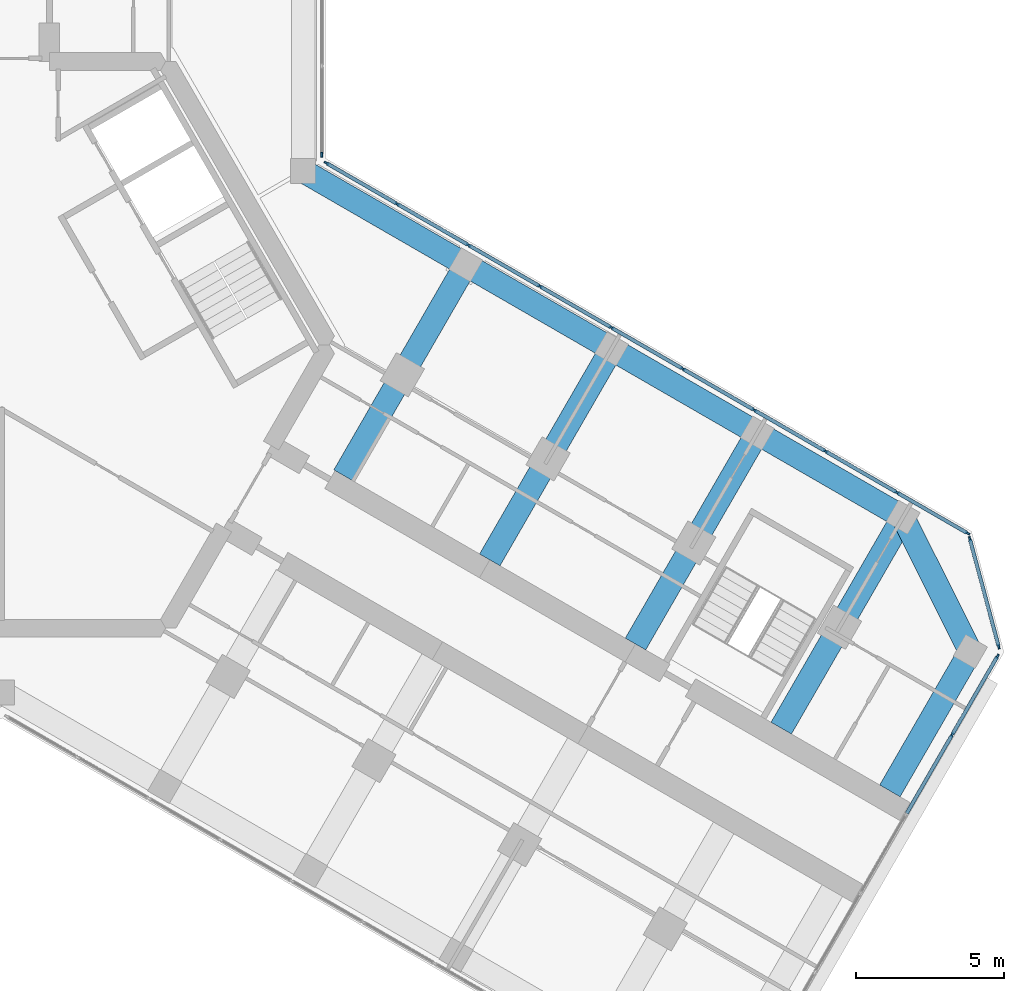
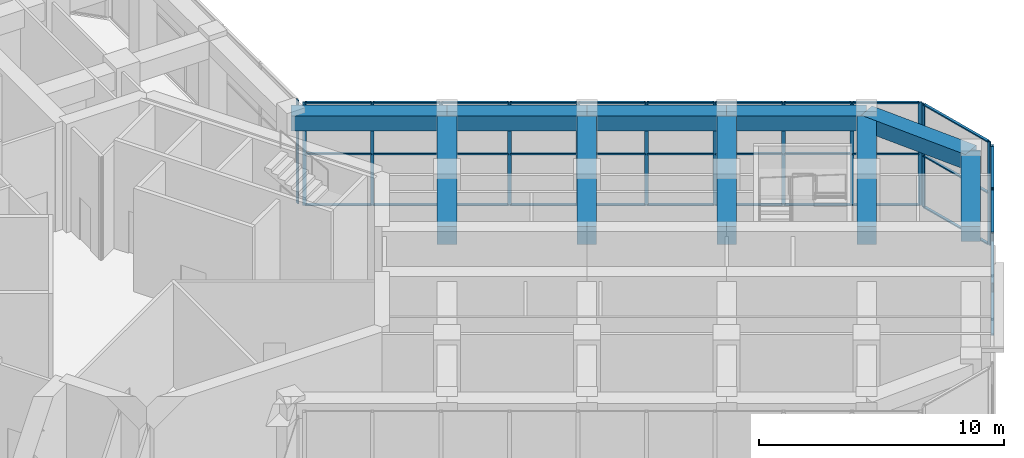
# One storey, part 6 of 16: 51 members, 10 beams, 4 elements without a shape of their own.
"""IFC4 building model written with IfcOpenShell, lengths in metres."""

import ifcopenshell
import ifcopenshell.guid

model = None  # the IFC model being written
_history = None  # IfcOwnerHistory: only IFC2X3 demands one
_inside = {}  # id of a spatial element -> (the spatial element, [elements in it])
_under = {}  # id of a project, library or spatial element -> (it, [spatial elements below it])
_declared = {}  # id of a project -> (the project, [libraries it declares])
_typed = {}  # id of a type object -> (the type object, [elements of that type])
_made_of = {}  # id of a material, layer set ... -> (it, [elements and type objects made of it])


def new_model(schema):
    """Start an empty IFC model of exactly this schema.

    Asked for "IFC4X3", IfcOpenShell would pick the latest addendum, in which some entities
    have other attributes; the version numbers below select the first issue.
    IFC2X3 requires an IfcOwnerHistory on every rooted entity: one is made here for all.
    """
    global model, _history
    if schema == "IFC4X3":
        model = ifcopenshell.file(schema_version=(4, 3, 0, 0))
    else:
        model = ifcopenshell.file(schema=schema)
    _inside.clear()
    _under.clear()
    _declared.clear()
    _typed.clear()
    _made_of.clear()
    _history = None
    if model.schema == "IFC2X3":
        org = make("IfcOrganization", Name="unknown")
        user = make(
            "IfcPersonAndOrganization",
            ThePerson=make("IfcPerson", FamilyName="unknown"),
            TheOrganization=org,
        )
        app = make(
            "IfcApplication",
            ApplicationDeveloper=org,
            Version="unknown",
            ApplicationFullName="unknown",
            ApplicationIdentifier="unknown",
        )
        _history = make(
            "IfcOwnerHistory",
            OwningUser=user,
            OwningApplication=app,
            ChangeAction="ADDED",
            CreationDate=0,
        )
    return model


def make(cls, **values):
    """One entity of the class cls with the attributes given. An attribute that is None is left unset."""
    return model.create_entity(
        cls, **{name: value for name, value in values.items() if value is not None}
    )


def rooted(cls, **values):
    """An entity with a GlobalId (a new one), such as an element, a storey or a relation."""
    return make(cls, GlobalId=ifcopenshell.guid.new(), OwnerHistory=_history, **values)


def si_unit(unit_type, name, prefix=None):
    """IfcSIUnit, for example si_unit("LENGTHUNIT", "METRE", prefix="MILLI")."""
    return make("IfcSIUnit", UnitType=unit_type, Prefix=prefix, Name=name)


def assignment(units):
    """IfcUnitAssignment: the units of a project."""
    return None if units is None else make("IfcUnitAssignment", Units=units)


def point(xyz):
    """IfcCartesianPoint."""
    return None if xyz is None else make("IfcCartesianPoint", Coordinates=xyz)


def direction(xyz):
    """IfcDirection."""
    return None if xyz is None else make("IfcDirection", DirectionRatios=xyz)


def frame(location, z_axis=None, x_axis=None):
    """IfcAxis2Placement3D, a coordinate frame: its origin and axes. An axis left out is left unset."""
    return make(
        "IfcAxis2Placement3D",
        Location=point(location),
        Axis=direction(z_axis),
        RefDirection=direction(x_axis),
    )


def frame_2d(location, x_axis=None):
    """IfcAxis2Placement2D, a coordinate frame in the plane: its origin and x axis."""
    return make(
        "IfcAxis2Placement2D", Location=point(location), RefDirection=direction(x_axis)
    )


def origin():
    """The frame at (0, 0, 0) with its axes left unset."""
    return frame((0.0, 0.0, 0.0))


def origin_2d():
    """The frame at (0, 0) in the plane with its x axis left unset."""
    return frame_2d((0.0, 0.0))


def place(relative_to, where):
    """IfcLocalPlacement: puts the frame where relative to a parent placement (None: the world)."""
    return make(
        "IfcLocalPlacement", PlacementRelTo=relative_to, RelativePlacement=where
    )


def context(
    kind, dimensions, precision=None, world=None, true_north=None, identifier=None
):
    """IfcGeometricRepresentationContext, for example the 3D "Model" context."""
    return make(
        "IfcGeometricRepresentationContext",
        ContextIdentifier=identifier,
        ContextType=kind,
        CoordinateSpaceDimension=dimensions,
        Precision=precision,
        WorldCoordinateSystem=world,
        TrueNorth=true_north,
    )


def subcontext(parent, identifier, kind, view, scale=None):
    """IfcGeometricRepresentationSubContext, for example "Body" below "Model"."""
    return make(
        "IfcGeometricRepresentationSubContext",
        ContextIdentifier=identifier,
        ContextType=kind,
        ParentContext=parent,
        TargetScale=scale,
        TargetView=view,
    )


def project(units=None, contexts=None):
    """IfcProject with its units and contexts."""
    return rooted(
        "IfcProject",
        Name="project",
        RepresentationContexts=contexts,
        UnitsInContext=assignment(units),
    )


def spatial(cls, under=None, at=None, **own):
    """A site, building, storey or space (cls), placed at a placement, below another one or the project."""
    s = rooted(cls, ObjectPlacement=at, **own)
    if under is not None:
        _under.setdefault(under.id(), (under, []))[1].append(s)
    return s


def profile(cls, at=None, kind="AREA", **sizes):
    """A parametric profile (cls). Its sizes go by their IFC names, for example OverallWidth=200.0."""
    return make(cls, ProfileType=kind, Position=at, **sizes)


def rectangle(**sizes):
    """IfcRectangleProfileDef."""
    return profile("IfcRectangleProfileDef", **sizes)


def extrude(swept, where, along, depth):
    """IfcExtrudedAreaSolid: the profile swept, set in the frame where, extruded along a direction by depth."""
    return make(
        "IfcExtrudedAreaSolid",
        SweptArea=swept,
        Position=where,
        ExtrudedDirection=direction(along),
        Depth=depth,
    )


def shape(context_of_items, identifier, shape_type, items):
    """IfcShapeRepresentation: the items that make up one representation, for example the "Body"."""
    return make(
        "IfcShapeRepresentation",
        ContextOfItems=context_of_items,
        RepresentationIdentifier=identifier,
        RepresentationType=shape_type,
        Items=items,
    )


def material(Name=None, Category=None):
    """IfcMaterial."""
    return make("IfcMaterial", Name=Name, Category=Category)


def material_profile(
    of_material, cross_section, Name=None, Category=None, Priority=None
):
    """IfcMaterialProfile: a cross section and its material."""
    return make(
        "IfcMaterialProfile",
        Name=Name,
        Material=of_material,
        Profile=cross_section,
        Priority=Priority,
        Category=Category,
    )


def profile_set(profiles, Name=None, composite=None):
    """IfcMaterialProfileSet."""
    return make(
        "IfcMaterialProfileSet",
        Name=Name,
        MaterialProfiles=profiles,
        CompositeProfile=composite,
    )


def made_of(thing, what):
    """Note that an element or type object is made of a material, layer set ...; save() writes the relation."""
    if what is not None:
        _made_of.setdefault(what.id(), (what, []))[1].append(thing)
    return thing


def type_object(cls, material=None, **own):
    """A type object (cls), such as IfcWallType, which elements share."""
    return made_of(rooted(cls, **own), material)


def element(
    cls,
    number,
    at=None,
    inside=None,
    cuts=None,
    type_object=None,
    material=None,
    context=None,
    identifier="Body",
    shape_type=None,
    held_by="IfcProductDefinitionShape",
    body=None,
    shapes=None,
    **own,
):
    """One element of the class cls, such as IfcWall. Its Tag is "e" and its number.

    at: its placement. inside: the storey or other place that contains it. cuts: it is an
    opening in that element (IfcRelVoidsElement). A single representation is given by context,
    identifier, shape_type and body (its items); several are given by shapes. held_by: the class
    of the entity that holds the representations. save() writes the other relations.
    """
    e = rooted(cls, Tag="e%d" % number, ObjectPlacement=at, **own)
    if body is not None:
        shapes = [shape(context, identifier, shape_type, body)]
    if shapes is not None:
        e.Representation = make(held_by, Representations=shapes)
    if inside is not None:
        _inside.setdefault(inside.id(), (inside, []))[1].append(e)
    if cuts is not None:
        rooted(
            "IfcRelVoidsElement", RelatingBuildingElement=cuts, RelatedOpeningElement=e
        )
    if type_object is not None:
        _typed.setdefault(type_object.id(), (type_object, []))[1].append(e)
    return made_of(e, material)


def aggregate(whole, parts):
    """IfcRelAggregates: a whole, such as a stair, and the parts it consists of."""
    return rooted("IfcRelAggregates", RelatingObject=whole, RelatedObjects=parts)


def save(model, path):
    """Write the relations noted so far, then the file.

    IfcRelAggregates (storeys below a building ...), IfcRelContainedInSpatialStructure (elements
    in a storey), IfcRelDefinesByType, IfcRelAssociatesMaterial and IfcRelDeclares: one each for
    every whole, place, type object, material and project.
    """
    for whole, parts in _under.values():
        aggregate(whole, parts)
    for where, things in _inside.values():
        rooted(
            "IfcRelContainedInSpatialStructure",
            RelatedElements=things,
            RelatingStructure=where,
        )
    for kind, things in _typed.values():
        rooted("IfcRelDefinesByType", RelatedObjects=things, RelatingType=kind)
    for what, things in _made_of.values():
        rooted("IfcRelAssociatesMaterial", RelatedObjects=things, RelatingMaterial=what)
    for by, libraries in _declared.values():
        rooted("IfcRelDeclares", RelatingContext=by, RelatedDefinitions=libraries)
    model.write(path)


model = new_model("IFC4")

# Units and contexts
model_context = context("Model", 3, precision=1e-05, world=origin(), true_north=direction((0.0, 1.0)))
body_context = subcontext(model_context, "Body", "Model", "MODEL_VIEW")
ifc_project = project(units=[si_unit("LENGTHUNIT", "METRE"), si_unit("AREAUNIT", "SQUARE_METRE"), si_unit("VOLUMEUNIT", "CUBIC_METRE"), si_unit("PLANEANGLEUNIT", "RADIAN"), si_unit("MASSUNIT", "GRAM", prefix="KILO")], contexts=[model_context])

# Site, building, storey
site_placement = place(None, origin())
site = spatial("IfcSite", under=ifc_project, at=site_placement, CompositionType="ELEMENT")
building_placement = place(site_placement, origin())
building = spatial("IfcBuilding", under=site, at=building_placement, Name="Kosmar Iwan School Tower", CompositionType="ELEMENT")
storey_placement = place(building_placement, frame((0.0, 0.0, 226.199951171875)))
storey = spatial("IfcBuildingStorey", under=building, at=storey_placement, Name="L57", CompositionType="ELEMENT", Elevation=226.199951171875)

# Curtain wall, members
ifc_material_1 = material(Name="Dark glass in black aluminium frame", Category="aluminium")
curtain_wall_type_1 = type_object("IfcCurtainWallType", Name="Tower curtain wall dark glass", PredefinedType="USERDEFINED", material=ifc_material_1)
curtain_wall_1_placement = place(storey_placement, origin())
curtain_wall_1 = element("IfcCurtainWall", 1, at=curtain_wall_1_placement, inside=storey, type_object=curtain_wall_type_1, Name="Curtain wall L57-F01", ObjectType="UNITISED CURTAIN WALL", PredefinedType="USERDEFINED")
ifc_material_2 = material(Name="Black anodised aluminium", Category="aluminium")
ifc_material_profile_1 = material_profile(ifc_material_2, rectangle(XDim=0.06005859375, YDim=0.159912109375, at=origin_2d()), Name="MULLION 60x160")
ifc_profile_set_1 = profile_set([ifc_material_profile_1], Name="Black anodised aluminium")
member_type_1 = type_object("IfcMemberType", Name="Mullion 60x160", PredefinedType="MULLION", material=ifc_profile_set_1)
member_1_placement = place(storey_placement, frame((32.1806640625, -13.21142578125, 0.0), z_axis=(0.0, 0.0, 1.0), x_axis=(-0.866025405329, 0.499999997325, 0.0)))
member_1 = element("IfcMember", 2, at=member_1_placement, type_object=member_type_1, Name="CW1 mullion 5", PredefinedType="MULLION", context=body_context, shape_type="SweptSolid", body=[
    extrude(rectangle(XDim=0.06005859375, YDim=0.159912109375, at=origin_2d()), origin(), (0.0, 0.0, 1.0), 5.150146484375),
])
member_2_placement = place(storey_placement, frame((33.71533203125, -10.55322265625, 0.0), z_axis=(0.0, 0.0, 1.0), x_axis=(-0.866025405329, 0.499999997325, 0.0)))
member_2 = element("IfcMember", 3, at=member_2_placement, type_object=member_type_1, Name="CW1 mullion 6", PredefinedType="MULLION", context=body_context, shape_type="SweptSolid", body=[
    extrude(rectangle(XDim=0.06005859375, YDim=0.159912109375, at=origin_2d()), origin(), (0.0, 0.0, 1.0), 5.150146484375),
])

ifc_material_3 = material(Name="Dark glass in black aluminium frame", Category="aluminium")
curtain_wall_type_2 = type_object("IfcCurtainWallType", Name="Chamfer curtain wall dark glass", PredefinedType="USERDEFINED", material=ifc_material_3)
curtain_wall_2_placement = place(storey_placement, origin())
curtain_wall_2 = element("IfcCurtainWall", 4, at=curtain_wall_2_placement, inside=storey, type_object=curtain_wall_type_2, Name="Curtain wall L57-F02", ObjectType="FACETED CURTAIN WALL", PredefinedType="USERDEFINED")
member_3_placement = place(storey_placement, frame((33.7587890625, -10.2236328125, 0.0), z_axis=(0.0, 0.0, 1.0), x_axis=(-0.965925875495, -0.258818861462, 0.0)))
member_3 = element("IfcMember", 5, at=member_3_placement, type_object=member_type_1, Name="CW2 mullion 1", PredefinedType="MULLION", context=body_context, shape_type="SweptSolid", body=[
    extrude(rectangle(XDim=0.06005859375, YDim=0.159912109375, at=origin_2d()), origin(), (0.0, 0.0, 1.0), 5.150146484375),
])
member_4_placement = place(storey_placement, frame((32.78076171875, -6.5732421875, 0.0), z_axis=(0.0, 0.0, 1.0), x_axis=(-0.965925875495, -0.258818861462, 0.0)))
member_4 = element("IfcMember", 6, at=member_4_placement, type_object=member_type_1, Name="CW2 mullion 2", PredefinedType="MULLION", context=body_context, shape_type="SweptSolid", body=[
    extrude(rectangle(XDim=0.06005859375, YDim=0.159912109375, at=origin_2d()), origin(), (0.0, 0.0, 1.0), 5.150146484375),
])

ifc_material_4 = material(Name="Dark glass in black aluminium frame", Category="aluminium")
curtain_wall_type_3 = type_object("IfcCurtainWallType", Name="Winter garden curtain wall", PredefinedType="USERDEFINED", material=ifc_material_4)
curtain_wall_3_placement = place(storey_placement, origin())
curtain_wall_3 = element("IfcCurtainWall", 7, at=curtain_wall_3_placement, inside=storey, type_object=curtain_wall_type_3, Name="Curtain wall L57-F03", ObjectType="WINTER GARDEN CURTAIN WALL", PredefinedType="USERDEFINED")
member_5_placement = place(storey_placement, frame((10.98876953125, 6.1552734375, 0.0), z_axis=(0.0, 0.0, 1.0), x_axis=(0.500000014888, 0.866025395189, 0.0)))
member_5 = element("IfcMember", 8, at=member_5_placement, type_object=member_type_1, Name="CW7 mullion 1", PredefinedType="MULLION", context=body_context, shape_type="SweptSolid", body=[
    extrude(rectangle(XDim=0.06005859375, YDim=0.159912109375, at=origin_2d()), origin(), (0.0, 0.0, 1.0), 5.150146484375),
])
member_6_placement = place(storey_placement, frame((13.3818359375, 4.773681640625, 0.0), z_axis=(0.0, 0.0, 1.0), x_axis=(0.500000014888, 0.866025395189, 0.0)))
member_6 = element("IfcMember", 9, at=member_6_placement, type_object=member_type_1, Name="CW7 mullion 2", PredefinedType="MULLION", context=body_context, shape_type="SweptSolid", body=[
    extrude(rectangle(XDim=0.06005859375, YDim=0.159912109375, at=origin_2d()), origin(), (0.0, 0.0, 1.0), 5.150146484375),
])
member_7_placement = place(storey_placement, frame((15.80078125, 3.376953125, 0.0), z_axis=(0.0, 0.0, 1.0), x_axis=(0.500000014888, 0.866025395189, 0.0)))
member_7 = element("IfcMember", 10, at=member_7_placement, type_object=member_type_1, Name="CW7 mullion 3", PredefinedType="MULLION", context=body_context, shape_type="SweptSolid", body=[
    extrude(rectangle(XDim=0.06005859375, YDim=0.159912109375, at=origin_2d()), origin(), (0.0, 0.0, 1.0), 5.150146484375),
])
member_8_placement = place(storey_placement, frame((18.219970703125, 1.98046875, 0.0), z_axis=(0.0, 0.0, 1.0), x_axis=(0.500000014888, 0.866025395189, 0.0)))
member_8 = element("IfcMember", 11, at=member_8_placement, type_object=member_type_1, Name="CW7 mullion 4", PredefinedType="MULLION", context=body_context, shape_type="SweptSolid", body=[
    extrude(rectangle(XDim=0.06005859375, YDim=0.159912109375, at=origin_2d()), origin(), (0.0, 0.0, 1.0), 5.150146484375),
])
member_9_placement = place(storey_placement, frame((20.638916015625, 0.583740234375, 0.0), z_axis=(0.0, 0.0, 1.0), x_axis=(0.500000014888, 0.866025395189, 0.0)))
member_9 = element("IfcMember", 12, at=member_9_placement, type_object=member_type_1, Name="CW7 mullion 5", PredefinedType="MULLION", context=body_context, shape_type="SweptSolid", body=[
    extrude(rectangle(XDim=0.06005859375, YDim=0.159912109375, at=origin_2d()), origin(), (0.0, 0.0, 1.0), 5.150146484375),
])
member_10_placement = place(storey_placement, frame((23.057861328125, -0.81298828125, 0.0), z_axis=(0.0, 0.0, 1.0), x_axis=(0.500000014888, 0.866025395189, 0.0)))
member_10 = element("IfcMember", 13, at=member_10_placement, type_object=member_type_1, Name="CW7 mullion 6", PredefinedType="MULLION", context=body_context, shape_type="SweptSolid", body=[
    extrude(rectangle(XDim=0.06005859375, YDim=0.159912109375, at=origin_2d()), origin(), (0.0, 0.0, 1.0), 5.150146484375),
])
member_11_placement = place(storey_placement, frame((25.47705078125, -2.20947265625, 0.0), z_axis=(0.0, 0.0, 1.0), x_axis=(0.500000014888, 0.866025395189, 0.0)))
member_11 = element("IfcMember", 14, at=member_11_placement, type_object=member_type_1, Name="CW7 mullion 7", PredefinedType="MULLION", context=body_context, shape_type="SweptSolid", body=[
    extrude(rectangle(XDim=0.06005859375, YDim=0.159912109375, at=origin_2d()), origin(), (0.0, 0.0, 1.0), 5.150146484375),
])
member_12_placement = place(storey_placement, frame((27.89599609375, -3.606201171875, 0.0), z_axis=(0.0, 0.0, 1.0), x_axis=(0.500000014888, 0.866025395189, 0.0)))
member_12 = element("IfcMember", 15, at=member_12_placement, type_object=member_type_1, Name="CW7 mullion 8", PredefinedType="MULLION", context=body_context, shape_type="SweptSolid", body=[
    extrude(rectangle(XDim=0.06005859375, YDim=0.159912109375, at=origin_2d()), origin(), (0.0, 0.0, 1.0), 5.150146484375),
])
member_13_placement = place(storey_placement, frame((30.31494140625, -5.002685546875, 0.0), z_axis=(0.0, 0.0, 1.0), x_axis=(0.500000014888, 0.866025395189, 0.0)))
member_13 = element("IfcMember", 16, at=member_13_placement, type_object=member_type_1, Name="CW7 mullion 9", PredefinedType="MULLION", context=body_context, shape_type="SweptSolid", body=[
    extrude(rectangle(XDim=0.06005859375, YDim=0.159912109375, at=origin_2d()), origin(), (0.0, 0.0, 1.0), 5.150146484375),
])
member_14_placement = place(storey_placement, frame((32.7080078125, -6.38427734375, 0.0), z_axis=(0.0, 0.0, 1.0), x_axis=(0.500000014888, 0.866025395189, 0.0)))
member_14 = element("IfcMember", 17, at=member_14_placement, type_object=member_type_1, Name="CW7 mullion 10", PredefinedType="MULLION", context=body_context, shape_type="SweptSolid", body=[
    extrude(rectangle(XDim=0.06005859375, YDim=0.159912109375, at=origin_2d()), origin(), (0.0, 0.0, 1.0), 5.150146484375),
])

# Curtain wall, member
curtain_wall_4_placement = place(storey_placement, origin())
curtain_wall_4 = element("IfcCurtainWall", 18, at=curtain_wall_4_placement, inside=storey, type_object=curtain_wall_type_3, Name="Curtain wall L57-F04", ObjectType="WINTER GARDEN CURTAIN WALL", PredefinedType="USERDEFINED")
member_15_placement = place(storey_placement, frame((10.824951171875, 6.43896484375, 0.0), z_axis=(0.0, 0.0, 1.0), x_axis=(-1.0, 0.0, 0.0)))
member_15 = element("IfcMember", 19, at=member_15_placement, type_object=member_type_1, Name="CW7 mullion 1", PredefinedType="MULLION", context=body_context, shape_type="SweptSolid", body=[
    extrude(rectangle(XDim=0.06005859375, YDim=0.159912109375, at=origin_2d()), origin(), (0.0, 0.0, 1.0), 5.150146484375),
])
aggregate(curtain_wall_4, [member_15])

# Beams
ifc_material_5 = material(Name="Concrete C50/60", Category="concrete")
ifc_material_profile_2 = material_profile(ifc_material_5, rectangle(XDim=0.800048828125, YDim=0.75, at=origin_2d()), Name="RC 800x750")
ifc_profile_set_2 = profile_set([ifc_material_profile_2], Name="Concrete C50/60")
beam_type_1 = type_object("IfcBeamType", Name="RC edge beam 800x750", PredefinedType="BEAM", material=ifc_profile_set_2)
beam_1_placement = place(storey_placement, frame((10.199951171875, 5.888916015625, 4.775146484375), z_axis=(0.866030912664, -0.49999045822, 0.0), x_axis=(0.49999045822, 0.866030912664, 0.0)))
element("IfcBeam", 20, at=beam_1_placement, inside=storey, type_object=beam_type_1, Name="Edge beam CL1", PredefinedType="BEAM", context=body_context, shape_type="SweptSolid", body=[
    extrude(rectangle(XDim=0.800048828125, YDim=0.75, at=origin_2d()), origin(), (0.0, 0.0, 1.0), 6.36083984375),
])
beam_2_placement = place(storey_placement, frame((15.708740234375, 2.70849609375, 4.775146484375), z_axis=(0.866025820012, -0.499999279071, 0.0), x_axis=(0.499999279071, 0.866025820012, 0.0)))
element("IfcBeam", 21, at=beam_2_placement, inside=storey, type_object=beam_type_1, Name="Edge beam CL2", PredefinedType="BEAM", context=body_context, shape_type="SweptSolid", body=[
    extrude(rectangle(XDim=0.800048828125, YDim=0.75, at=origin_2d()), origin(), (0.0, 0.0, 1.0), 5.7001953125),
])
for number, where, z_axis, x_axis, name in (
    (22, (20.645263671875, -0.1416015625, 4.775146484375), (0.866033658841, -0.49998570155, 0.0), (0.49998570155, 0.866033658841, 0.0), "Edge beam CL3"),
    (23, (25.58154296875, -2.991455078125, 4.775146484375), (0.866015111908, -0.50001782563, 0.0), (0.50001782563, 0.866015111908, 0.0), "Edge beam CL4"),
):
    element("IfcBeam", number, at=place(storey_placement, frame(where, z_axis=z_axis, x_axis=x_axis)), inside=storey, type_object=beam_type_1, Name=name, PredefinedType="BEAM", context=body_context, shape_type="SweptSolid", body=[
        extrude(rectangle(XDim=0.800048828125, YDim=0.75, at=origin_2d()), origin(), (0.0, 0.0, 1.0), 5.699951171875),
    ])
ifc_material_6 = material(Name="Concrete C50/60", Category="concrete")
ifc_material_profile_3 = material_profile(ifc_material_6, rectangle(XDim=0.800048828125, YDim=0.75, at=origin_2d()), Name="RC 800x750")
ifc_profile_set_3 = profile_set([ifc_material_profile_3], Name="Concrete C50/60")
beam_type_2 = type_object("IfcBeamType", Name="RC tip beam 800x750", PredefinedType="BEAM", material=ifc_profile_set_3)
beam_3_placement = place(storey_placement, frame((30.517822265625, -5.841552734375, 4.775146484375), z_axis=(0.44809604203, -0.893985423325, 0.0), x_axis=(0.893985423325, 0.44809604203, 0.0)))
element("IfcBeam", 24, at=beam_3_placement, inside=storey, type_object=beam_type_2, Name="Tip beam CL", PredefinedType="BEAM", context=body_context, shape_type="SweptSolid", body=[
    extrude(rectangle(XDim=0.800048828125, YDim=0.75, at=origin_2d()), origin(), (0.0, 0.0, 1.0), 5.08935546875),
])
beam_4_placement = place(storey_placement, frame((32.79833984375, -10.391357421875, 4.775146484375), z_axis=(-0.49996933381, -0.866043108194, 0.0), x_axis=(0.866043108194, -0.49996933381, 0.0)))
element("IfcBeam", 25, at=beam_4_placement, inside=storey, type_object=beam_type_2, Name="Tip beam CL to corridor wall", PredefinedType="BEAM", context=body_context, shape_type="SweptSolid", body=[
    extrude(rectangle(XDim=0.800048828125, YDim=0.75, at=origin_2d()), origin(), (0.0, 0.0, 1.0), 5.449951171875),
])
ifc_material_7 = material(Name="Concrete C50/60", Category="concrete")
ifc_material_profile_4 = material_profile(ifc_material_7, rectangle(XDim=0.800048828125, YDim=0.89990234375, at=origin_2d()), Name="RC 800x900")
ifc_profile_set_4 = profile_set([ifc_material_profile_4], Name="Concrete C50/60")
beam_type_3 = type_object("IfcBeamType", Name="RC transverse beam 800x900", PredefinedType="BEAM", material=ifc_profile_set_4)
beam_5_placement = place(storey_placement, frame((15.708740234375, 2.70849609375, 4.699951171875), z_axis=(-0.499996545922, -0.866027397988, 0.0), x_axis=(0.866027397988, -0.499996545922, 0.0)))
element("IfcBeam", 26, at=beam_5_placement, inside=storey, type_object=beam_type_3, Name="Transverse beam CL1", PredefinedType="BEAM", context=body_context, shape_type="SweptSolid", body=[
    extrude(rectangle(XDim=0.800048828125, YDim=0.89990234375, at=origin_2d()), origin(), (0.0, 0.0, 1.0), 8.25),
])
beam_6_placement = place(storey_placement, frame((20.645263671875, -0.1416015625, 4.699951171875), z_axis=(-0.500009360108, -0.866019999656, 0.0), x_axis=(0.866019999656, -0.500009360108, 0.0)))
element("IfcBeam", 27, at=beam_6_placement, inside=storey, type_object=beam_type_3, Name="Transverse beam CL2", PredefinedType="BEAM", context=body_context, shape_type="SweptSolid", body=[
    extrude(rectangle(XDim=0.800048828125, YDim=0.89990234375, at=origin_2d()), origin(), (0.0, 0.0, 1.0), 8.249755859375),
])
for number, where, z_axis, x_axis, name in (
    (28, (25.58154296875, -2.991455078125, 4.699951171875), (-0.499996545922, -0.866027397988, 0.0), (0.866027397988, -0.499996545922, 0.0), "Transverse beam CL3"),
    (29, (30.517822265625, -5.841552734375, 4.699951171875), (-0.499996545922, -0.866027397988, 0.0), (0.866027397988, -0.499996545922, 0.0), "Transverse beam CL4"),
):
    element("IfcBeam", number, at=place(storey_placement, frame(where, z_axis=z_axis, x_axis=x_axis)), inside=storey, type_object=beam_type_3, Name=name, PredefinedType="BEAM", context=body_context, shape_type="SweptSolid", body=[
        extrude(rectangle(XDim=0.800048828125, YDim=0.89990234375, at=origin_2d()), origin(), (0.0, 0.0, 1.0), 8.25),
    ])

# Member
ifc_material_8 = material(Name="Black anodised aluminium", Category="aluminium")
ifc_material_profile_5 = material_profile(ifc_material_8, rectangle(XDim=0.1201171875, YDim=0.06005859375, at=origin_2d()), Name="TRANSOM 60x120")
ifc_profile_set_5 = profile_set([ifc_material_profile_5], Name="Black anodised aluminium")
member_type_2 = type_object("IfcMemberType", Name="Transom 60x120", PredefinedType="USERDEFINED", material=ifc_profile_set_5)
member_16_placement = place(storey_placement, frame((30.64599609375, -15.869384765625, 0.030029296875), z_axis=(0.500035348339, 0.866004994449, 0.0), x_axis=(-0.866004994449, 0.500035348339, 0.0)))
member_16 = element("IfcMember", 30, at=member_16_placement, type_object=member_type_2, Name="CW1 transom 4.1", ObjectType="TRANSOM", PredefinedType="USERDEFINED", context=body_context, shape_type="SweptSolid", body=[
    extrude(rectangle(XDim=0.1201171875, YDim=0.06005859375, at=origin_2d()), origin(), (0.0, 0.0, 1.0), 3.039306640625),
])

member_17_placement = place(storey_placement, frame((30.64599609375, -15.869384765625, 2.574951171875), z_axis=(0.500035348339, 0.866004994449, 0.0), x_axis=(-0.866004994449, 0.500035348339, 0.0)))
member_17 = element("IfcMember", 31, at=member_17_placement, type_object=member_type_2, Name="CW1 transom 4.2", ObjectType="TRANSOM", PredefinedType="USERDEFINED", context=body_context, shape_type="SweptSolid", body=[
    extrude(rectangle(XDim=0.1201171875, YDim=0.06005859375, at=origin_2d()), origin(), (0.0, 0.0, 1.0), 3.039306640625),
])

member_18_placement = place(storey_placement, frame((30.64599609375, -15.869384765625, 5.1201171875), z_axis=(0.500035348339, 0.866004994449, 0.0), x_axis=(-0.866004994449, 0.500035348339, 0.0)))
member_18 = element("IfcMember", 32, at=member_18_placement, type_object=member_type_2, Name="CW1 transom 4.3", ObjectType="TRANSOM", PredefinedType="USERDEFINED", context=body_context, shape_type="SweptSolid", body=[
    extrude(rectangle(XDim=0.1201171875, YDim=0.06005859375, at=origin_2d()), origin(), (0.0, 0.0, 1.0), 3.039306640625),
])

member_19_placement = place(storey_placement, frame((32.19580078125, -13.185302734375, 0.030029296875), z_axis=(0.500022102064, 0.866012642776, 0.0), x_axis=(-0.866012642776, 0.500022102064, 0.0)))
member_19 = element("IfcMember", 33, at=member_19_placement, type_object=member_type_2, Name="CW1 transom 5.1", ObjectType="TRANSOM", PredefinedType="USERDEFINED", context=body_context, shape_type="SweptSolid", body=[
    extrude(rectangle(XDim=0.1201171875, YDim=0.06005859375, at=origin_2d()), origin(), (0.0, 0.0, 1.0), 3.009033203125),
])

member_20_placement = place(storey_placement, frame((32.19580078125, -13.185302734375, 2.574951171875), z_axis=(0.500022102064, 0.866012642776, 0.0), x_axis=(-0.866012642776, 0.500022102064, 0.0)))
member_20 = element("IfcMember", 34, at=member_20_placement, type_object=member_type_2, Name="CW1 transom 5.2", ObjectType="TRANSOM", PredefinedType="USERDEFINED", context=body_context, shape_type="SweptSolid", body=[
    extrude(rectangle(XDim=0.1201171875, YDim=0.06005859375, at=origin_2d()), origin(), (0.0, 0.0, 1.0), 3.009033203125),
])

member_21_placement = place(storey_placement, frame((32.19580078125, -13.185302734375, 5.1201171875), z_axis=(0.500022102064, 0.866012642776, 0.0), x_axis=(-0.866012642776, 0.500022102064, 0.0)))
member_21 = element("IfcMember", 35, at=member_21_placement, type_object=member_type_2, Name="CW1 transom 5.3", ObjectType="TRANSOM", PredefinedType="USERDEFINED", context=body_context, shape_type="SweptSolid", body=[
    extrude(rectangle(XDim=0.1201171875, YDim=0.06005859375, at=origin_2d()), origin(), (0.0, 0.0, 1.0), 3.009033203125),
])

aggregate(curtain_wall_1, [member_1, member_2, member_16, member_17, member_18, member_19, member_20, member_21])

member_22_placement = place(storey_placement, frame((33.7509765625, -10.194580078125, 0.030029296875), z_axis=(-0.258843273983, 0.965919333854, 0.0), x_axis=(-0.965919333854, -0.258843273983, 0.0)))
member_22 = element("IfcMember", 36, at=member_22_placement, type_object=member_type_2, Name="CW2 transom 1.1", ObjectType="TRANSOM", PredefinedType="USERDEFINED", context=body_context, shape_type="SweptSolid", body=[
    extrude(rectangle(XDim=0.1201171875, YDim=0.06005859375, at=origin_2d()), origin(), (0.0, 0.0, 1.0), 3.718994140625),
])

member_23_placement = place(storey_placement, frame((33.7509765625, -10.194580078125, 2.574951171875), z_axis=(-0.258843273983, 0.965919333854, 0.0), x_axis=(-0.965919333854, -0.258843273983, 0.0)))
member_23 = element("IfcMember", 37, at=member_23_placement, type_object=member_type_2, Name="CW2 transom 1.2", ObjectType="TRANSOM", PredefinedType="USERDEFINED", context=body_context, shape_type="SweptSolid", body=[
    extrude(rectangle(XDim=0.1201171875, YDim=0.06005859375, at=origin_2d()), origin(), (0.0, 0.0, 1.0), 3.718994140625),
])

member_24_placement = place(storey_placement, frame((33.7509765625, -10.194580078125, 5.1201171875), z_axis=(-0.258843273983, 0.965919333854, 0.0), x_axis=(-0.965919333854, -0.258843273983, 0.0)))
member_24 = element("IfcMember", 38, at=member_24_placement, type_object=member_type_2, Name="CW2 transom 1.3", ObjectType="TRANSOM", PredefinedType="USERDEFINED", context=body_context, shape_type="SweptSolid", body=[
    extrude(rectangle(XDim=0.1201171875, YDim=0.06005859375, at=origin_2d()), origin(), (0.0, 0.0, 1.0), 3.718994140625),
])

aggregate(curtain_wall_2, [member_3, member_4, member_22, member_23, member_24])

member_25_placement = place(storey_placement, frame((11.014892578125, 6.14013671875, 0.030029296875), z_axis=(0.866033683985, -0.499985657998, 0.0), x_axis=(0.499985657998, 0.866033683985, 0.0)))
member_25 = element("IfcMember", 39, at=member_25_placement, type_object=member_type_2, Name="CW7 transom 1.1", ObjectType="TRANSOM", PredefinedType="USERDEFINED", context=body_context, shape_type="SweptSolid", body=[
    extrude(rectangle(XDim=0.1201171875, YDim=0.06005859375, at=origin_2d()), origin(), (0.0, 0.0, 1.0), 2.703125),
])

member_26_placement = place(storey_placement, frame((11.014892578125, 6.14013671875, 2.574951171875), z_axis=(0.866033683985, -0.499985657998, 0.0), x_axis=(0.499985657998, 0.866033683985, 0.0)))
member_26 = element("IfcMember", 40, at=member_26_placement, type_object=member_type_2, Name="CW7 transom 1.2", ObjectType="TRANSOM", PredefinedType="USERDEFINED", context=body_context, shape_type="SweptSolid", body=[
    extrude(rectangle(XDim=0.1201171875, YDim=0.06005859375, at=origin_2d()), origin(), (0.0, 0.0, 1.0), 2.703125),
])

member_27_placement = place(storey_placement, frame((11.014892578125, 6.14013671875, 5.1201171875), z_axis=(0.866033683985, -0.499985657998, 0.0), x_axis=(0.499985657998, 0.866033683985, 0.0)))
member_27 = element("IfcMember", 41, at=member_27_placement, type_object=member_type_2, Name="CW7 transom 1.3", ObjectType="TRANSOM", PredefinedType="USERDEFINED", context=body_context, shape_type="SweptSolid", body=[
    extrude(rectangle(XDim=0.1201171875, YDim=0.06005859375, at=origin_2d()), origin(), (0.0, 0.0, 1.0), 2.703125),
])

member_28_placement = place(storey_placement, frame((13.407958984375, 4.758544921875, 0.030029296875), z_axis=(0.866041295585, -0.499972473583, 0.0), x_axis=(0.499972473583, 0.866041295585, 0.0)))
member_28 = element("IfcMember", 42, at=member_28_placement, type_object=member_type_2, Name="CW7 transom 2.1", ObjectType="TRANSOM", PredefinedType="USERDEFINED", context=body_context, shape_type="SweptSolid", body=[
    extrude(rectangle(XDim=0.1201171875, YDim=0.06005859375, at=origin_2d()), origin(), (0.0, 0.0, 1.0), 2.733154296875),
])

member_29_placement = place(storey_placement, frame((13.407958984375, 4.758544921875, 2.574951171875), z_axis=(0.866041295585, -0.499972473583, 0.0), x_axis=(0.499972473583, 0.866041295585, 0.0)))
member_29 = element("IfcMember", 43, at=member_29_placement, type_object=member_type_2, Name="CW7 transom 2.2", ObjectType="TRANSOM", PredefinedType="USERDEFINED", context=body_context, shape_type="SweptSolid", body=[
    extrude(rectangle(XDim=0.1201171875, YDim=0.06005859375, at=origin_2d()), origin(), (0.0, 0.0, 1.0), 2.733154296875),
])

member_30_placement = place(storey_placement, frame((13.407958984375, 4.758544921875, 5.1201171875), z_axis=(0.866041295585, -0.499972473583, 0.0), x_axis=(0.499972473583, 0.866041295585, 0.0)))
member_30 = element("IfcMember", 44, at=member_30_placement, type_object=member_type_2, Name="CW7 transom 2.3", ObjectType="TRANSOM", PredefinedType="USERDEFINED", context=body_context, shape_type="SweptSolid", body=[
    extrude(rectangle(XDim=0.1201171875, YDim=0.06005859375, at=origin_2d()), origin(), (0.0, 0.0, 1.0), 2.733154296875),
])

member_31_placement = place(storey_placement, frame((15.826904296875, 3.362060546875, 0.030029296875), z_axis=(0.866002615699, -0.500039468044, 0.0), x_axis=(0.500039468044, 0.866002615699, 0.0)))
member_31 = element("IfcMember", 45, at=member_31_placement, type_object=member_type_2, Name="CW7 transom 3.1", ObjectType="TRANSOM", PredefinedType="USERDEFINED", context=body_context, shape_type="SweptSolid", body=[
    extrude(rectangle(XDim=0.1201171875, YDim=0.06005859375, at=origin_2d()), origin(), (0.0, 0.0, 1.0), 2.733154296875),
])

member_32_placement = place(storey_placement, frame((15.826904296875, 3.362060546875, 2.574951171875), z_axis=(0.866002615699, -0.500039468044, 0.0), x_axis=(0.500039468044, 0.866002615699, 0.0)))
member_32 = element("IfcMember", 46, at=member_32_placement, type_object=member_type_2, Name="CW7 transom 3.2", ObjectType="TRANSOM", PredefinedType="USERDEFINED", context=body_context, shape_type="SweptSolid", body=[
    extrude(rectangle(XDim=0.1201171875, YDim=0.06005859375, at=origin_2d()), origin(), (0.0, 0.0, 1.0), 2.733154296875),
])

member_33_placement = place(storey_placement, frame((15.826904296875, 3.362060546875, 5.1201171875), z_axis=(0.866002615699, -0.500039468044, 0.0), x_axis=(0.500039468044, 0.866002615699, 0.0)))
member_33 = element("IfcMember", 47, at=member_33_placement, type_object=member_type_2, Name="CW7 transom 3.3", ObjectType="TRANSOM", PredefinedType="USERDEFINED", context=body_context, shape_type="SweptSolid", body=[
    extrude(rectangle(XDim=0.1201171875, YDim=0.06005859375, at=origin_2d()), origin(), (0.0, 0.0, 1.0), 2.733154296875),
])

member_34_placement = place(storey_placement, frame((18.245849609375, 1.96533203125, 0.030029296875), z_axis=(0.8660249478, -0.500000789788, 0.0), x_axis=(0.500000789788, 0.8660249478, 0.0)))
member_34 = element("IfcMember", 48, at=member_34_placement, type_object=member_type_2, Name="CW7 transom 4.1", ObjectType="TRANSOM", PredefinedType="USERDEFINED", context=body_context, shape_type="SweptSolid", body=[
    extrude(rectangle(XDim=0.1201171875, YDim=0.06005859375, at=origin_2d()), origin(), (0.0, 0.0, 1.0), 2.7333984375),
])

member_35_placement = place(storey_placement, frame((18.245849609375, 1.96533203125, 2.574951171875), z_axis=(0.8660249478, -0.500000789788, 0.0), x_axis=(0.500000789788, 0.8660249478, 0.0)))
member_35 = element("IfcMember", 49, at=member_35_placement, type_object=member_type_2, Name="CW7 transom 4.2", ObjectType="TRANSOM", PredefinedType="USERDEFINED", context=body_context, shape_type="SweptSolid", body=[
    extrude(rectangle(XDim=0.1201171875, YDim=0.06005859375, at=origin_2d()), origin(), (0.0, 0.0, 1.0), 2.7333984375),
])

member_36_placement = place(storey_placement, frame((18.245849609375, 1.96533203125, 5.1201171875), z_axis=(0.8660249478, -0.500000789788, 0.0), x_axis=(0.500000789788, 0.8660249478, 0.0)))
member_36 = element("IfcMember", 50, at=member_36_placement, type_object=member_type_2, Name="CW7 transom 4.3", ObjectType="TRANSOM", PredefinedType="USERDEFINED", context=body_context, shape_type="SweptSolid", body=[
    extrude(rectangle(XDim=0.1201171875, YDim=0.06005859375, at=origin_2d()), origin(), (0.0, 0.0, 1.0), 2.7333984375),
])

member_37_placement = place(storey_placement, frame((20.664794921875, 0.56884765625, 0.030029296875), z_axis=(0.8660249478, -0.500000789788, 0.0), x_axis=(0.500000789788, 0.8660249478, 0.0)))
member_37 = element("IfcMember", 51, at=member_37_placement, type_object=member_type_2, Name="CW7 transom 5.1", ObjectType="TRANSOM", PredefinedType="USERDEFINED", context=body_context, shape_type="SweptSolid", body=[
    extrude(rectangle(XDim=0.1201171875, YDim=0.06005859375, at=origin_2d()), origin(), (0.0, 0.0, 1.0), 2.7333984375),
])

member_38_placement = place(storey_placement, frame((20.664794921875, 0.56884765625, 2.574951171875), z_axis=(0.8660249478, -0.500000789788, 0.0), x_axis=(0.500000789788, 0.8660249478, 0.0)))
member_38 = element("IfcMember", 52, at=member_38_placement, type_object=member_type_2, Name="CW7 transom 5.2", ObjectType="TRANSOM", PredefinedType="USERDEFINED", context=body_context, shape_type="SweptSolid", body=[
    extrude(rectangle(XDim=0.1201171875, YDim=0.06005859375, at=origin_2d()), origin(), (0.0, 0.0, 1.0), 2.7333984375),
])

member_39_placement = place(storey_placement, frame((20.664794921875, 0.56884765625, 5.1201171875), z_axis=(0.8660249478, -0.500000789788, 0.0), x_axis=(0.500000789788, 0.8660249478, 0.0)))
member_39 = element("IfcMember", 53, at=member_39_placement, type_object=member_type_2, Name="CW7 transom 5.3", ObjectType="TRANSOM", PredefinedType="USERDEFINED", context=body_context, shape_type="SweptSolid", body=[
    extrude(rectangle(XDim=0.1201171875, YDim=0.06005859375, at=origin_2d()), origin(), (0.0, 0.0, 1.0), 2.7333984375),
])

member_40_placement = place(storey_placement, frame((23.083984375, -0.827880859375, 0.030029296875), z_axis=(0.866002615699, -0.500039468044, 0.0), x_axis=(0.500039468044, 0.866002615699, 0.0)))
member_40 = element("IfcMember", 54, at=member_40_placement, type_object=member_type_2, Name="CW7 transom 6.1", ObjectType="TRANSOM", PredefinedType="USERDEFINED", context=body_context, shape_type="SweptSolid", body=[
    extrude(rectangle(XDim=0.1201171875, YDim=0.06005859375, at=origin_2d()), origin(), (0.0, 0.0, 1.0), 2.733154296875),
])

member_41_placement = place(storey_placement, frame((23.083984375, -0.827880859375, 2.574951171875), z_axis=(0.866002615699, -0.500039468044, 0.0), x_axis=(0.500039468044, 0.866002615699, 0.0)))
member_41 = element("IfcMember", 55, at=member_41_placement, type_object=member_type_2, Name="CW7 transom 6.2", ObjectType="TRANSOM", PredefinedType="USERDEFINED", context=body_context, shape_type="SweptSolid", body=[
    extrude(rectangle(XDim=0.1201171875, YDim=0.06005859375, at=origin_2d()), origin(), (0.0, 0.0, 1.0), 2.733154296875),
])

member_42_placement = place(storey_placement, frame((23.083984375, -0.827880859375, 5.1201171875), z_axis=(0.866002615699, -0.500039468044, 0.0), x_axis=(0.500039468044, 0.866002615699, 0.0)))
member_42 = element("IfcMember", 56, at=member_42_placement, type_object=member_type_2, Name="CW7 transom 6.3", ObjectType="TRANSOM", PredefinedType="USERDEFINED", context=body_context, shape_type="SweptSolid", body=[
    extrude(rectangle(XDim=0.1201171875, YDim=0.06005859375, at=origin_2d()), origin(), (0.0, 0.0, 1.0), 2.733154296875),
])

member_43_placement = place(storey_placement, frame((25.5029296875, -2.224609375, 0.030029296875), z_axis=(0.866063622699, -0.499933797055, 0.0), x_axis=(0.499933797055, 0.866063622699, 0.0)))
member_43 = element("IfcMember", 57, at=member_43_placement, type_object=member_type_2, Name="CW7 transom 7.1", ObjectType="TRANSOM", PredefinedType="USERDEFINED", context=body_context, shape_type="SweptSolid", body=[
    extrude(rectangle(XDim=0.1201171875, YDim=0.06005859375, at=origin_2d()), origin(), (0.0, 0.0, 1.0), 2.733154296875),
])

member_44_placement = place(storey_placement, frame((25.5029296875, -2.224609375, 2.574951171875), z_axis=(0.866063622699, -0.499933797055, 0.0), x_axis=(0.499933797055, 0.866063622699, 0.0)))
member_44 = element("IfcMember", 58, at=member_44_placement, type_object=member_type_2, Name="CW7 transom 7.2", ObjectType="TRANSOM", PredefinedType="USERDEFINED", context=body_context, shape_type="SweptSolid", body=[
    extrude(rectangle(XDim=0.1201171875, YDim=0.06005859375, at=origin_2d()), origin(), (0.0, 0.0, 1.0), 2.733154296875),
])

member_45_placement = place(storey_placement, frame((25.5029296875, -2.224609375, 5.1201171875), z_axis=(0.866063622699, -0.499933797055, 0.0), x_axis=(0.499933797055, 0.866063622699, 0.0)))
member_45 = element("IfcMember", 59, at=member_45_placement, type_object=member_type_2, Name="CW7 transom 7.3", ObjectType="TRANSOM", PredefinedType="USERDEFINED", context=body_context, shape_type="SweptSolid", body=[
    extrude(rectangle(XDim=0.1201171875, YDim=0.06005859375, at=origin_2d()), origin(), (0.0, 0.0, 1.0), 2.733154296875),
])

member_46_placement = place(storey_placement, frame((27.921875, -3.62109375, 0.030029296875), z_axis=(0.8660249478, -0.500000789788, 0.0), x_axis=(0.500000789788, 0.8660249478, 0.0)))
member_46 = element("IfcMember", 60, at=member_46_placement, type_object=member_type_2, Name="CW7 transom 8.1", ObjectType="TRANSOM", PredefinedType="USERDEFINED", context=body_context, shape_type="SweptSolid", body=[
    extrude(rectangle(XDim=0.1201171875, YDim=0.06005859375, at=origin_2d()), origin(), (0.0, 0.0, 1.0), 2.7333984375),
])

member_47_placement = place(storey_placement, frame((27.921875, -3.62109375, 2.574951171875), z_axis=(0.8660249478, -0.500000789788, 0.0), x_axis=(0.500000789788, 0.8660249478, 0.0)))
member_47 = element("IfcMember", 61, at=member_47_placement, type_object=member_type_2, Name="CW7 transom 8.2", ObjectType="TRANSOM", PredefinedType="USERDEFINED", context=body_context, shape_type="SweptSolid", body=[
    extrude(rectangle(XDim=0.1201171875, YDim=0.06005859375, at=origin_2d()), origin(), (0.0, 0.0, 1.0), 2.7333984375),
])

member_48_placement = place(storey_placement, frame((27.921875, -3.62109375, 5.1201171875), z_axis=(0.8660249478, -0.500000789788, 0.0), x_axis=(0.500000789788, 0.8660249478, 0.0)))
member_48 = element("IfcMember", 62, at=member_48_placement, type_object=member_type_2, Name="CW7 transom 8.3", ObjectType="TRANSOM", PredefinedType="USERDEFINED", context=body_context, shape_type="SweptSolid", body=[
    extrude(rectangle(XDim=0.1201171875, YDim=0.06005859375, at=origin_2d()), origin(), (0.0, 0.0, 1.0), 2.7333984375),
])

member_49_placement = place(storey_placement, frame((30.341064453125, -5.017822265625, 0.030029296875), z_axis=(0.866033683985, -0.499985657998, 0.0), x_axis=(0.499985657998, 0.866033683985, 0.0)))
member_49 = element("IfcMember", 63, at=member_49_placement, type_object=member_type_2, Name="CW7 transom 9.1", ObjectType="TRANSOM", PredefinedType="USERDEFINED", context=body_context, shape_type="SweptSolid", body=[
    extrude(rectangle(XDim=0.1201171875, YDim=0.06005859375, at=origin_2d()), origin(), (0.0, 0.0, 1.0), 2.703125),
])

member_50_placement = place(storey_placement, frame((30.341064453125, -5.017822265625, 2.574951171875), z_axis=(0.866033683985, -0.499985657998, 0.0), x_axis=(0.499985657998, 0.866033683985, 0.0)))
member_50 = element("IfcMember", 64, at=member_50_placement, type_object=member_type_2, Name="CW7 transom 9.2", ObjectType="TRANSOM", PredefinedType="USERDEFINED", context=body_context, shape_type="SweptSolid", body=[
    extrude(rectangle(XDim=0.1201171875, YDim=0.06005859375, at=origin_2d()), origin(), (0.0, 0.0, 1.0), 2.703125),
])

member_51_placement = place(storey_placement, frame((30.341064453125, -5.017822265625, 5.1201171875), z_axis=(0.866033683985, -0.499985657998, 0.0), x_axis=(0.499985657998, 0.866033683985, 0.0)))
member_51 = element("IfcMember", 65, at=member_51_placement, type_object=member_type_2, Name="CW7 transom 9.3", ObjectType="TRANSOM", PredefinedType="USERDEFINED", context=body_context, shape_type="SweptSolid", body=[
    extrude(rectangle(XDim=0.1201171875, YDim=0.06005859375, at=origin_2d()), origin(), (0.0, 0.0, 1.0), 2.703125),
])

aggregate(curtain_wall_3, [member_5, member_6, member_7, member_8, member_9, member_10, member_11, member_12, member_13, member_14, member_25, member_26, member_27, member_28, member_29, member_30, member_31, member_32, member_33, member_34, member_35, member_36, member_37, member_38, member_39, member_40, member_41, member_42, member_43, member_44, member_45, member_46, member_47, member_48, member_49, member_50, member_51])

save(model, "model.ifc")
